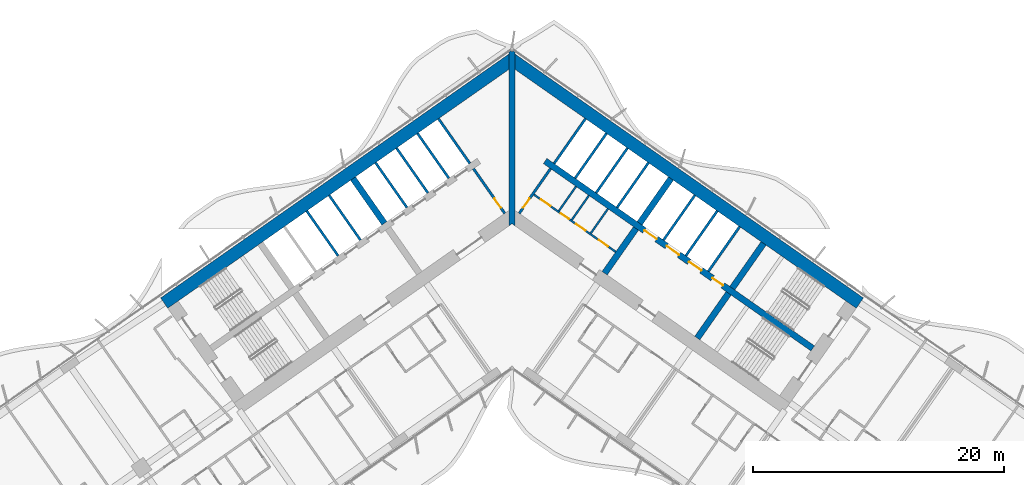
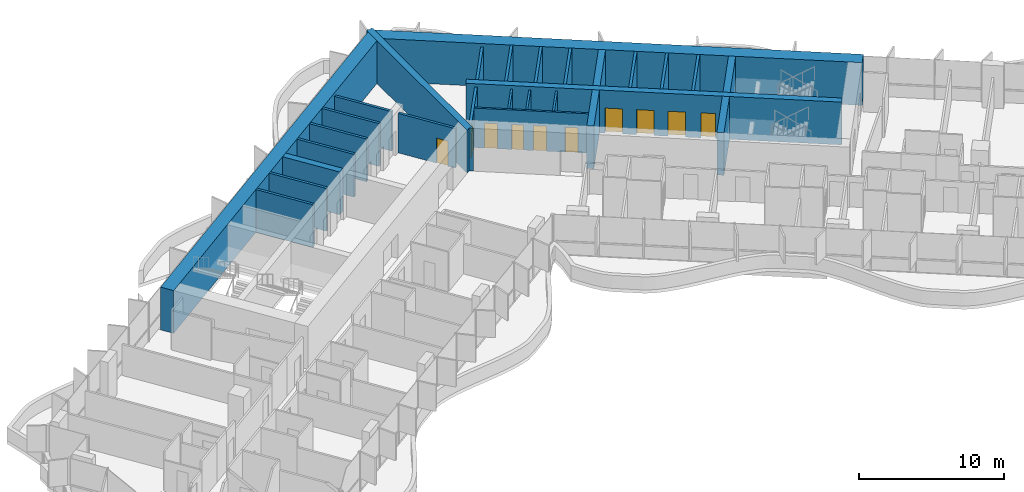
# One storey, part 16 of 25: 28 walls, 10 doors, 10 openings.
"""IFC4 building model written with IfcOpenShell, lengths in metres."""

from ifc_helpers import new_model, si_unit, direction, frame, frame_2d, origin, place, context, subcontext, project, spatial, polyline, rectangle, outline, extrude, material, layer, layer_set, type_object, element, fill, save


model = new_model("IFC4")

# Units and contexts
model_context = context("Model", 3, precision=1e-05, world=origin(), true_north=direction((0.0, 1.0)))
body_context = subcontext(model_context, "Body", "Model", "MODEL_VIEW")
ifc_project = project(units=[si_unit("LENGTHUNIT", "METRE"), si_unit("AREAUNIT", "SQUARE_METRE"), si_unit("VOLUMEUNIT", "CUBIC_METRE"), si_unit("PLANEANGLEUNIT", "RADIAN"), si_unit("MASSUNIT", "GRAM", prefix="KILO")], contexts=[model_context])

# Site, building, storey
site_placement = place(None, origin())
site = spatial("IfcSite", under=ifc_project, at=site_placement, CompositionType="ELEMENT")
building_placement = place(site_placement, origin())
building = spatial("IfcBuilding", under=site, at=building_placement, Name="Tel Ilan Convention Tower", CompositionType="ELEMENT")
storey_placement = place(building_placement, frame((0.0, 0.0, 61.699951171875)))
storey = spatial("IfcBuildingStorey", under=building, at=storey_placement, Name="L10", CompositionType="ELEMENT", Elevation=61.699951171875)

# Wall, openings, doors
ifc_material_1 = material(Name="Gypsum Plasterboard on Steel Stud", Category="steel")
ifc_layer_1 = layer(ifc_material_1, 0.14990234375)
ifc_layer_set_1 = layer_set([ifc_layer_1], Name="Core Room Partition Wall 150 mm EI 60")
wall_type_1 = type_object("IfcWallType", Name="Core Room Partition Wall 150 mm EI 60", PredefinedType="PARTITIONING", material=ifc_layer_set_1)
wall_1_placement = place(storey_placement, frame((1.7451171875, 1.097412109375, 0.0), z_axis=(0.0, 0.0, 1.0), x_axis=(0.819156890572, -0.573569515079, 0.0)))
wall_1 = element("IfcWall", 1, at=wall_1_placement, inside=storey, type_object=wall_type_1, Name="L10 core wall wc-h1", PredefinedType="PARTITIONING", context=body_context, shape_type="SweptSolid", body=[
    extrude(rectangle(XDim=7.949951171875, YDim=0.14990234375, at=frame_2d((3.97509765625, 0.0))), origin(), (0.0, 0.0, 1.0), 3.320068359375),
])
opening_1_placement = place(wall_1_placement, frame((0.699951171875, 0.0, 0.0)))
opening_1 = element("IfcOpeningElement", 2, at=opening_1_placement, cuts=wall_1, Name="Opening CD1110", PredefinedType="OPENING", context=body_context, shape_type="SweptSolid", body=[
    extrude(rectangle(XDim=0.89990234375, YDim=2.10009765625, at=frame_2d((0.449951171875, 1.050048828125))), frame((0.0, 0.0849609375, 0.0), z_axis=(0.0, -1.0, 0.0), x_axis=(1.0, 0.0, 0.0)), (0.0, 0.0, 1.0), 0.169921875),
])
opening_2_placement = place(wall_1_placement, frame((2.60009765625, 0.0, 0.0)))
opening_2 = element("IfcOpeningElement", 3, at=opening_2_placement, cuts=wall_1, Name="Opening CD1109", PredefinedType="OPENING", context=body_context, shape_type="SweptSolid", body=[
    extrude(rectangle(XDim=0.800048828125, YDim=2.10009765625, at=frame_2d((0.39990234375, 1.050048828125))), frame((0.0, 0.0849609375, 0.0), z_axis=(0.0, -1.0, 0.0), x_axis=(1.0, 0.0, 0.0)), (0.0, 0.0, 1.0), 0.169921875),
])
opening_3_placement = place(wall_1_placement, frame((4.10009765625, 0.0, 0.0)))
opening_3 = element("IfcOpeningElement", 4, at=opening_3_placement, cuts=wall_1, Name="Opening CD1108", PredefinedType="OPENING", context=body_context, shape_type="SweptSolid", body=[
    extrude(rectangle(XDim=0.89990234375, YDim=2.10009765625, at=frame_2d((0.449951171875, 1.050048828125))), frame((0.0, 0.0849609375, 0.0), z_axis=(0.0, -1.0, 0.0), x_axis=(1.0, 0.0, 0.0)), (0.0, 0.0, 1.0), 0.169921875),
])
opening_4_placement = place(wall_1_placement, frame((6.300048828125, 0.0, 0.0)))
opening_4 = element("IfcOpeningElement", 5, at=opening_4_placement, cuts=wall_1, Name="Opening CD1111", PredefinedType="OPENING", context=body_context, shape_type="SweptSolid", body=[
    extrude(rectangle(XDim=0.89990234375, YDim=2.10009765625, at=frame_2d((0.449951171875, 1.050048828125))), frame((0.0, 0.0849609375, 0.0), z_axis=(0.0, -1.0, 0.0), x_axis=(1.0, 0.0, 0.0)), (0.0, 0.0, 1.0), 0.169921875),
])
ifc_material_2 = material(Name="Galvanised Steel Door Leaf", Category="steel")
door_type_1 = type_object("IfcDoorType", Name="Store Door 800 x 2100 FD60", OperationType="NOTDEFINED", PredefinedType="DOOR", material=ifc_material_2)
door_1_placement = place(opening_2_placement, origin())
door_1 = element("IfcDoor", 6, at=door_1_placement, inside=storey, type_object=door_type_1, Name="Cleaner's store door", OperationType="SINGLE_SWING_RIGHT", OverallHeight=2.10009765625, OverallWidth=0.800048828125, PredefinedType="DOOR", context=body_context, shape_type="SweptSolid", body=[
    extrude(rectangle(XDim=0.800048828125, YDim=2.10009765625, at=frame_2d((0.39990234375, 1.050048828125))), frame((0.0, 0.02490234375, 0.0), z_axis=(0.0, -1.0, 0.0), x_axis=(1.0, 0.0, 0.0)), (0.0, 0.0, 1.0), 0.050048828125),
])
fill(opening_2, door_1)
ifc_material_3 = material(Name="Laminated Timber Door Leaf", Category="wood")
door_type_2 = type_object("IfcDoorType", Name="Toilet Door 900 x 2100 FD30S", OperationType="NOTDEFINED", PredefinedType="DOOR", material=ifc_material_3)
door_2_placement = place(opening_1_placement, origin())
door_2 = element("IfcDoor", 7, at=door_2_placement, inside=storey, type_object=door_type_2, Name="Men's WC door", OperationType="SINGLE_SWING_RIGHT", OverallHeight=2.10009765625, OverallWidth=0.89990234375, PredefinedType="DOOR", context=body_context, shape_type="SweptSolid", body=[
    extrude(rectangle(XDim=0.89990234375, YDim=2.10009765625, at=frame_2d((0.449951171875, 1.050048828125))), frame((0.0, 0.02490234375, 0.0), z_axis=(0.0, -1.0, 0.0), x_axis=(1.0, 0.0, 0.0)), (0.0, 0.0, 1.0), 0.050048828125),
])
fill(opening_1, door_2)
door_3_placement = place(opening_3_placement, origin())
door_3 = element("IfcDoor", 8, at=door_3_placement, inside=storey, type_object=door_type_2, Name="Accessible WC door", OperationType="SINGLE_SWING_RIGHT", OverallHeight=2.10009765625, OverallWidth=0.89990234375, PredefinedType="DOOR", context=body_context, shape_type="SweptSolid", body=[
    extrude(rectangle(XDim=0.89990234375, YDim=2.10009765625, at=frame_2d((0.449951171875, 1.050048828125))), frame((0.0, 0.02490234375, 0.0), z_axis=(0.0, -1.0, 0.0), x_axis=(1.0, 0.0, 0.0)), (0.0, 0.0, 1.0), 0.050048828125),
])
fill(opening_3, door_3)
door_4_placement = place(opening_4_placement, origin())
door_4 = element("IfcDoor", 9, at=door_4_placement, inside=storey, type_object=door_type_2, Name="Women's WC door", OperationType="SINGLE_SWING_RIGHT", OverallHeight=2.10009765625, OverallWidth=0.89990234375, PredefinedType="DOOR", context=body_context, shape_type="SweptSolid", body=[
    extrude(rectangle(XDim=0.89990234375, YDim=2.10009765625, at=frame_2d((0.449951171875, 1.050048828125))), frame((0.0, 0.02490234375, 0.0), z_axis=(0.0, -1.0, 0.0), x_axis=(1.0, 0.0, 0.0)), (0.0, 0.0, 1.0), 0.050048828125),
])
fill(opening_4, door_4)

# Walls
for number, where, z_axis, x_axis, name in (
    (10, (3.733642578125, -0.203369140625, 0.0), (0.0, 0.0, 1.0), (0.573579618003, 0.819149816463, 0.0), "L10 core wall wc-v0"),
    (11, (4.757568359375, -0.92041015625, 0.0), (0.0, 0.0, 1.0), (0.573579618003, 0.819149816463, 0.0), "L10 core wall wc-v1"),
    (12, (6.27294921875, -1.9814453125, 0.0), (0.0, 0.0, 1.0), (0.573579618003, 0.819149816463, 0.0), "L10 core wall wc-v2"),
):
    element("IfcWall", number, at=place(storey_placement, frame(where, z_axis=z_axis, x_axis=x_axis)), inside=storey, type_object=wall_type_1, Name=name, PredefinedType="PARTITIONING", context=body_context, shape_type="SweptSolid", body=[
        extrude(rectangle(XDim=2.375, YDim=0.14990234375, at=frame_2d((1.1875, 0.0))), origin(), (0.0, 0.0, 1.0), 3.320068359375),
    ])

# Wall, opening, door
ifc_material_4 = material(Name="Concrete C30/37", Category="concrete")
ifc_layer_2 = layer(ifc_material_4, 0.199951171875)
ifc_layer_set_2 = layer_set([ifc_layer_2], Name="Core Service Room Wall 200 mm C30/37")
wall_type_2 = type_object("IfcWallType", Name="Core Service Room Wall 200 mm C30/37", PredefinedType="SOLIDWALL", material=ifc_layer_set_2)
wall_2_placement = place(storey_placement, frame((-0.573486328125, -0.401611328125, 0.0), z_axis=(0.0, 0.0, 1.0), x_axis=(-0.57356780395, 0.819158088694, 0.0)))
wall_2 = element("IfcWall", 13, at=wall_2_placement, inside=storey, type_object=wall_type_2, Name="L10 core wall apex-W", PredefinedType="SOLIDWALL", context=body_context, shape_type="SweptSolid", body=[
    extrude(rectangle(XDim=4.35009765625, YDim=0.199951171875, at=frame_2d((2.175048828125, 0.0))), origin(), (0.0, 0.0, 1.0), 3.320068359375),
])
opening_5_placement = place(wall_2_placement, frame((0.550048828125, 0.0, 0.0)))
opening_5 = element("IfcOpeningElement", 14, at=opening_5_placement, cuts=wall_2, Name="Opening CD1102", PredefinedType="OPENING", context=body_context, shape_type="SweptSolid", body=[
    extrude(rectangle(XDim=0.89990234375, YDim=2.10009765625, at=frame_2d((0.449951171875, 1.050048828125))), frame((0.0, 0.10986328125, 0.0), z_axis=(0.0, -1.0, 0.0), x_axis=(1.0, 0.0, 0.0)), (0.0, 0.0, 1.0), 0.219970703125),
])
ifc_material_5 = material(Name="Galvanised Steel Door Leaf", Category="steel")
door_type_3 = type_object("IfcDoorType", Name="Service Room Door 900 x 2100 FD60", OperationType="NOTDEFINED", PredefinedType="DOOR", material=ifc_material_5)
door_5_placement = place(opening_5_placement, origin())
door_5 = element("IfcDoor", 15, at=door_5_placement, inside=storey, type_object=door_type_3, Name="Riser Room door", OperationType="SINGLE_SWING_RIGHT", OverallHeight=2.10009765625, OverallWidth=0.89990234375, PredefinedType="DOOR", context=body_context, shape_type="SweptSolid", body=[
    extrude(rectangle(XDim=0.89990234375, YDim=2.10009765625, at=frame_2d((0.449951171875, 1.050048828125))), frame((0.0, 0.02490234375, 0.0), z_axis=(0.0, -1.0, 0.0), x_axis=(1.0, 0.0, 0.0)), (0.0, 0.0, 1.0), 0.050048828125),
])
fill(opening_5, door_5)

# Wall
wall_3_placement = place(storey_placement, frame((-3.355224609375, 3.5712890625, 0.0), z_axis=(0.0, 0.0, 1.0), x_axis=(-0.57356780395, 0.819158088694, 0.0)))
element("IfcWall", 16, at=wall_3_placement, inside=storey, type_object=wall_type_2, Name="L10 core wall apex-W-b", PredefinedType="SOLIDWALL", context=body_context, shape_type="SweptSolid", body=[
    extrude(rectangle(XDim=4.35009765625, YDim=0.199951171875, at=frame_2d((2.175048828125, 0.0))), origin(), (0.0, 0.0, 1.0), 3.320068359375),
])

# Wall, opening, door
wall_4_placement = place(storey_placement, frame((0.573486328125, -0.401611328125, 0.0), z_axis=(0.0, 0.0, 1.0), x_axis=(0.57356780395, 0.819158088694, 0.0)))
wall_4 = element("IfcWall", 17, at=wall_4_placement, inside=storey, type_object=wall_type_2, Name="L10 core wall apex-E", PredefinedType="SOLIDWALL", context=body_context, shape_type="SweptSolid", body=[
    extrude(rectangle(XDim=4.35009765625, YDim=0.199951171875, at=frame_2d((2.175048828125, 0.0))), origin(), (0.0, 0.0, 1.0), 3.320068359375),
])
opening_6_placement = place(wall_4_placement, frame((0.550048828125, 0.0, 0.0)))
opening_6 = element("IfcOpeningElement", 18, at=opening_6_placement, cuts=wall_4, Name="Opening CD1101", PredefinedType="OPENING", context=body_context, shape_type="SweptSolid", body=[
    extrude(rectangle(XDim=0.89990234375, YDim=2.10009765625, at=frame_2d((0.449951171875, 1.050048828125))), frame((0.0, 0.10986328125, 0.0), z_axis=(0.0, -1.0, 0.0), x_axis=(1.0, 0.0, 0.0)), (0.0, 0.0, 1.0), 0.219970703125),
])
door_6_placement = place(opening_6_placement, origin())
door_6 = element("IfcDoor", 19, at=door_6_placement, inside=storey, type_object=door_type_3, Name="Electrical Room door", OperationType="SINGLE_SWING_RIGHT", OverallHeight=2.10009765625, OverallWidth=0.89990234375, PredefinedType="DOOR", context=body_context, shape_type="SweptSolid", body=[
    extrude(rectangle(XDim=0.89990234375, YDim=2.10009765625, at=frame_2d((0.449951171875, 1.050048828125))), frame((0.0, 0.02490234375, 0.0), z_axis=(0.0, -1.0, 0.0), x_axis=(1.0, 0.0, 0.0)), (0.0, 0.0, 1.0), 0.050048828125),
])
fill(opening_6, door_6)

# Walls
wall_5_placement = place(storey_placement, frame((3.355224609375, 3.5712890625, 0.0), z_axis=(0.0, 0.0, 1.0), x_axis=(0.57356780395, 0.819158088694, 0.0)))
element("IfcWall", 20, at=wall_5_placement, inside=storey, type_object=wall_type_2, Name="L10 core wall apex-E-b", PredefinedType="SOLIDWALL", context=body_context, shape_type="SweptSolid", body=[
    extrude(rectangle(XDim=4.35009765625, YDim=0.199951171875, at=frame_2d((2.175048828125, 0.0))), origin(), (0.0, 0.0, 1.0), 3.320068359375),
])
ifc_material_6 = material(Name="Concrete C60/75", Category="concrete")
ifc_layer_3 = layer(ifc_material_6, 1.0)
ifc_layer_set_3 = layer_set([ifc_layer_3], Name="Core Shear Wall 1000 mm C60/75")
wall_type_3 = type_object("IfcWallType", Name="Core Shear Wall 1000 mm C60/75", PredefinedType="SHEAR", material=ifc_layer_set_3)
wall_6_placement = place(storey_placement, frame((0.036865234375, 11.8671875, 0.0), z_axis=(0.0, 0.0, 1.0), x_axis=(-0.819155306259, -0.573571777746, 0.0)))
element("IfcWall", 21, at=wall_6_placement, inside=storey, type_object=wall_type_3, Name="L10 core wall W-back", PredefinedType="SHEAR", context=body_context, shape_type="SweptSolid", body=[
    extrude(outline(polyline([(33.8369140625, 0.5), (0.7001953125, 0.499755859375), (0.0, -0.5), (33.8369140625, -0.5), (33.8369140625, 0.5)])), origin(), (0.0, 0.0, 1.0), 3.60009765625),
])
wall_7_placement = place(storey_placement, frame((-0.036865234375, 11.8671875, 0.0), z_axis=(0.0, 0.0, 1.0), x_axis=(0.819155306259, -0.573571777746, 0.0)))
element("IfcWall", 22, at=wall_7_placement, inside=storey, type_object=wall_type_3, Name="L10 core wall E-back", PredefinedType="SHEAR", context=body_context, shape_type="SweptSolid", body=[
    extrude(outline(polyline([(33.8369140625, 0.5), (0.0, 0.5), (0.7001953125, -0.499755859375), (33.8369140625, -0.5), (33.8369140625, 0.5)])), origin(), (0.0, 0.0, 1.0), 3.60009765625),
])
ifc_material_7 = material(Name="Concrete C60/75", Category="concrete")
ifc_layer_4 = layer(ifc_material_7, 0.5)
ifc_layer_set_4 = layer_set([ifc_layer_4], Name="Core Shear Wall 500 mm C60/75")
wall_type_4 = type_object("IfcWallType", Name="Core Shear Wall 500 mm C60/75", PredefinedType="SHEAR", material=ifc_layer_set_4)
wall_8_placement = place(storey_placement, frame((-10.154296875, -1.189208984375, 0.0), z_axis=(0.0, 0.0, 1.0), x_axis=(-0.573594173421, 0.819139624372, 0.0)))
element("IfcWall", 23, at=wall_8_placement, inside=storey, type_object=wall_type_4, Name="L10 core wall W-cross1-2", PredefinedType="SHEAR", context=body_context, shape_type="SweptSolid", body=[
    extrude(outline(polyline([(4.349853515625, -0.25), (4.349853515625, 0.25), (-0.000244140625, 0.25), (-0.000244140625, -0.25), (4.349853515625, -0.25)])), origin(), (0.0, 0.0, 1.0), 3.60009765625),
])
wall_9_placement = place(storey_placement, frame((7.372314453125, -5.162109375, 0.0), z_axis=(0.0, 0.0, 1.0), x_axis=(0.573594173421, 0.819139624372, 0.0)))
element("IfcWall", 24, at=wall_9_placement, inside=storey, type_object=wall_type_4, Name="L10 core wall E-cross1-1", PredefinedType="SHEAR", context=body_context, shape_type="SweptSolid", body=[
    extrude(outline(polyline([(0.0, 0.25), (0.0, -0.250244140625), (4.349853515625, -0.25), (4.349853515625, 0.25), (0.0, 0.25)])), origin(), (0.0, 0.0, 1.0), 3.60009765625),
])
wall_10_placement = place(storey_placement, frame((10.154296875, -1.189208984375, 0.0), z_axis=(0.0, 0.0, 1.0), x_axis=(0.573594173421, 0.819139624372, 0.0)))
element("IfcWall", 25, at=wall_10_placement, inside=storey, type_object=wall_type_4, Name="L10 core wall E-cross1-2", PredefinedType="SHEAR", context=body_context, shape_type="SweptSolid", body=[
    extrude(outline(polyline([(4.349853515625, -0.25), (4.349853515625, 0.25), (-0.000244140625, 0.25), (-0.000244140625, -0.25), (4.349853515625, -0.25)])), origin(), (0.0, 0.0, 1.0), 3.60009765625),
])
wall_11_placement = place(storey_placement, frame((14.74462890625, -10.324462890625, 0.0), z_axis=(0.0, 0.0, 1.0), x_axis=(0.57356780395, 0.819158088694, 0.0)))
element("IfcWall", 26, at=wall_11_placement, inside=storey, type_object=wall_type_4, Name="L10 core wall E-cross2-1", PredefinedType="SHEAR", context=body_context, shape_type="SweptSolid", body=[
    extrude(outline(polyline([(0.0, 0.25), (0.0, -0.25), (4.35009765625, -0.250244140625), (4.35009765625, 0.25), (0.0, 0.25)])), origin(), (0.0, 0.0, 1.0), 3.60009765625),
])
wall_12_placement = place(storey_placement, frame((17.526611328125, -6.3515625, 0.0), z_axis=(0.0, 0.0, 1.0), x_axis=(0.573530143085, 0.819184457233, 0.0)))
element("IfcWall", 27, at=wall_12_placement, inside=storey, type_object=wall_type_4, Name="L10 core wall E-cross2-2", PredefinedType="SHEAR", context=body_context, shape_type="SweptSolid", body=[
    extrude(outline(polyline([(4.35009765625, -0.250244140625), (4.35009765625, 0.249755859375), (0.0, 0.25), (0.0, -0.25), (4.35009765625, -0.250244140625)])), origin(), (0.0, 0.0, 1.0), 3.60009765625),
])

# Wall, openings, doors
wall_13_placement = place(storey_placement, frame((2.638427734375, 3.76806640625, 0.0), z_axis=(0.0, 0.0, 1.0), x_axis=(0.819148977158, -0.573580816643, 0.0)))
wall_13 = element("IfcWall", 28, at=wall_13_placement, inside=storey, type_object=wall_type_4, Name="L10 core wall E-spine", PredefinedType="SHEAR", context=body_context, shape_type="SweptSolid", body=[
    extrude(outline(polyline([(0.0, 0.25), (0.0, -0.25), (26.0, -0.249755859375), (26.0, 0.250244140625), (0.0, 0.25)])), origin(), (0.0, 0.0, 1.0), 3.60009765625),
])
opening_7_placement = place(wall_13_placement, frame((9.637451171875, 0.0, 0.0)))
opening_7 = element("IfcOpeningElement", 29, at=opening_7_placement, cuts=wall_13, Name="Opening LD1101", PredefinedType="OPENING", context=body_context, shape_type="SweptSolid", body=[
    extrude(rectangle(XDim=1.199951171875, YDim=2.10009765625, at=frame_2d((0.60009765625, 1.050048828125))), frame((0.0, 0.260009765625, 0.0), z_axis=(0.0, -1.0, 0.0), x_axis=(1.0, 0.0, 0.0)), (0.0, 0.0, 1.0), 0.52001953125),
])
opening_8_placement = place(wall_13_placement, frame((11.8125, 0.0, 0.0)))
opening_8 = element("IfcOpeningElement", 30, at=opening_8_placement, cuts=wall_13, Name="Opening LD1102", PredefinedType="OPENING", context=body_context, shape_type="SweptSolid", body=[
    extrude(rectangle(XDim=1.199951171875, YDim=2.10009765625, at=frame_2d((0.60009765625, 1.050048828125))), frame((0.0, 0.260009765625, 0.0), z_axis=(0.0, -1.0, 0.0), x_axis=(1.0, 0.0, 0.0)), (0.0, 0.0, 1.0), 0.52001953125),
])
opening_9_placement = place(wall_13_placement, frame((13.987548828125, 0.0, 0.0)))
opening_9 = element("IfcOpeningElement", 31, at=opening_9_placement, cuts=wall_13, Name="Opening LD1103", PredefinedType="OPENING", context=body_context, shape_type="SweptSolid", body=[
    extrude(rectangle(XDim=1.199951171875, YDim=2.10009765625, at=frame_2d((0.60009765625, 1.050048828125))), frame((0.0, 0.260009765625, 0.0), z_axis=(0.0, -1.0, 0.0), x_axis=(1.0, 0.0, 0.0)), (0.0, 0.0, 1.0), 0.52001953125),
])
opening_10_placement = place(wall_13_placement, frame((16.262451171875, 0.0, 0.0)))
opening_10 = element("IfcOpeningElement", 32, at=opening_10_placement, cuts=wall_13, Name="Opening CD1107", PredefinedType="OPENING", context=body_context, shape_type="SweptSolid", body=[
    extrude(rectangle(XDim=1.0, YDim=2.10009765625, at=frame_2d((0.5, 1.050048828125))), frame((0.0, 0.260009765625, 0.0), z_axis=(0.0, -1.0, 0.0), x_axis=(1.0, 0.0, 0.0)), (0.0, 0.0, 1.0), 0.52001953125),
])
ifc_material_8 = material(Name="Stainless Steel Sliding Door Leaf", Category="steel")
door_type_4 = type_object("IfcDoorType", Name="Lift Landing Door 1200 x 2100 FD120", OperationType="NOTDEFINED", PredefinedType="DOOR", material=ifc_material_8)
door_7_placement = place(opening_7_placement, origin())
door_7 = element("IfcDoor", 33, at=door_7_placement, inside=storey, type_object=door_type_4, Name="Lift FL1 landing door", OperationType="SLIDING_TO_LEFT", OverallHeight=2.10009765625, OverallWidth=1.199951171875, PredefinedType="DOOR", context=body_context, shape_type="SweptSolid", body=[
    extrude(rectangle(XDim=1.199951171875, YDim=2.10009765625, at=frame_2d((0.60009765625, 1.050048828125))), frame((0.0, 0.02490234375, 0.0), z_axis=(0.0, -1.0, 0.0), x_axis=(1.0, 0.0, 0.0)), (0.0, 0.0, 1.0), 0.050048828125),
])
fill(opening_7, door_7)
door_8_placement = place(opening_8_placement, origin())
door_8 = element("IfcDoor", 34, at=door_8_placement, inside=storey, type_object=door_type_4, Name="Lift FL2 landing door", OperationType="SLIDING_TO_RIGHT", OverallHeight=2.10009765625, OverallWidth=1.199951171875, PredefinedType="DOOR", context=body_context, shape_type="SweptSolid", body=[
    extrude(rectangle(XDim=1.199951171875, YDim=2.10009765625, at=frame_2d((0.60009765625, 1.050048828125))), frame((0.0, 0.02490234375, 0.0), z_axis=(0.0, -1.0, 0.0), x_axis=(1.0, 0.0, 0.0)), (0.0, 0.0, 1.0), 0.050048828125),
])
fill(opening_8, door_8)
door_9_placement = place(opening_9_placement, origin())
door_9 = element("IfcDoor", 35, at=door_9_placement, inside=storey, type_object=door_type_4, Name="Lift FL3 landing door", OperationType="SLIDING_TO_LEFT", OverallHeight=2.10009765625, OverallWidth=1.199951171875, PredefinedType="DOOR", context=body_context, shape_type="SweptSolid", body=[
    extrude(rectangle(XDim=1.199951171875, YDim=2.10009765625, at=frame_2d((0.60009765625, 1.050048828125))), frame((0.0, 0.02490234375, 0.0), z_axis=(0.0, -1.0, 0.0), x_axis=(1.0, 0.0, 0.0)), (0.0, 0.0, 1.0), 0.050048828125),
])
fill(opening_9, door_9)
ifc_material_9 = material(Name="Galvanised Steel Door Leaf", Category="steel")
door_type_5 = type_object("IfcDoorType", Name="Service Room Door 1000 x 2100 FD60", OperationType="NOTDEFINED", PredefinedType="DOOR", material=ifc_material_9)
door_10_placement = place(opening_10_placement, origin())
door_10 = element("IfcDoor", 36, at=door_10_placement, inside=storey, type_object=door_type_5, Name="Plant Room door", OperationType="SINGLE_SWING_RIGHT", OverallHeight=2.10009765625, OverallWidth=1.0, PredefinedType="DOOR", context=body_context, shape_type="SweptSolid", body=[
    extrude(rectangle(XDim=1.0, YDim=2.10009765625, at=frame_2d((0.5, 1.050048828125))), frame((0.0, 0.02490234375, 0.0), z_axis=(0.0, -1.0, 0.0), x_axis=(1.0, 0.0, 0.0)), (0.0, 0.0, 1.0), 0.050048828125),
])
fill(opening_10, door_10)

# Walls
wall_14_placement = place(storey_placement, frame((0.0, -1.395751953125, 0.0), z_axis=(0.0, 0.0, 1.0), x_axis=(0.0, 1.0, 0.0)))
element("IfcWall", 37, at=wall_14_placement, inside=storey, type_object=wall_type_4, Name="L10 core wall K-central", PredefinedType="SHEAR", context=body_context, shape_type="SweptSolid", body=[
    extrude(outline(polyline([(0.0, -0.25), (0.175048828125, -0.25), (1.220703125, -0.25), (12.451904296875, -0.25), (13.84765625, -0.25), (13.85693359375, -0.25), (13.96826171875, -0.172119140625), (13.84765625, 0.0), (13.96826171875, 0.172119140625), (13.85693359375, 0.25), (13.84765625, 0.25), (12.451904296875, 0.25), (1.220703125, 0.25), (0.175048828125, 0.25), (0.0, 0.25), (0.175048828125, 0.0), (0.0, -0.25)])), origin(), (0.0, 0.0, 1.0), 3.60009765625),
])
ifc_material_10 = material(Name="Concrete C30/37", Category="concrete")
ifc_layer_5 = layer(ifc_material_10, 0.199951171875)
ifc_layer_set_5 = layer_set([ifc_layer_5], Name="Lift Shaft Wall 200 mm C30/37")
wall_type_5 = type_object("IfcWallType", Name="Lift Shaft Wall 200 mm C30/37", PredefinedType="SOLIDWALL", material=ifc_layer_set_5)
wall_15_placement = place(storey_placement, frame((-5.0244140625, 2.402587890625, 0.0), z_axis=(0.0, 0.0, 1.0), x_axis=(-0.573530143085, 0.819184457233, 0.0)))
element("IfcWall", 38, at=wall_15_placement, inside=storey, type_object=wall_type_5, Name="L10 core wall bank-W1-p0", PredefinedType="SOLIDWALL", context=body_context, shape_type="SweptSolid", body=[
    extrude(rectangle(XDim=4.35009765625, YDim=0.199951171875, at=frame_2d((2.175048828125, 0.0))), origin(), (0.0, 0.0, 1.0), 3.60009765625),
])
for number, where, z_axis, x_axis, name in (
    (39, (-6.693359375, 1.234130859375, 0.0), (0.0, 0.0, 1.0), (-0.573594173421, 0.819139624372, 0.0), "L10 core wall bank-W1-p1"),
    (40, (-8.3623046875, 0.0654296875, 0.0), (0.0, 0.0, 1.0), (-0.573594173421, 0.819139624372, 0.0), "L10 core wall bank-W1-p2"),
    (41, (-12.05859375, -2.52294921875, 0.0), (0.0, 0.0, 1.0), (-0.573594173421, 0.819139624372, 0.0), "L10 core wall bank-W2-p0"),
):
    element("IfcWall", number, at=place(storey_placement, frame(where, z_axis=z_axis, x_axis=x_axis)), inside=storey, type_object=wall_type_5, Name=name, PredefinedType="SOLIDWALL", context=body_context, shape_type="SweptSolid", body=[
        extrude(rectangle(XDim=4.349853515625, YDim=0.199951171875, at=frame_2d((2.1748046875, 0.0))), origin(), (0.0, 0.0, 1.0), 3.60009765625),
    ])
for number, where, z_axis, x_axis, name in (
    (42, (-13.84033203125, -3.7705078125, 0.0), (0.0, 0.0, 1.0), (-0.57356780395, 0.819158088694, 0.0), "L10 core wall bank-W2-p1"),
    (43, (5.0244140625, 2.402587890625, 0.0), (0.0, 0.0, 1.0), (0.573530143085, 0.819184457233, 0.0), "L10 core wall bank-E1-p0"),
):
    element("IfcWall", number, at=place(storey_placement, frame(where, z_axis=z_axis, x_axis=x_axis)), inside=storey, type_object=wall_type_5, Name=name, PredefinedType="SOLIDWALL", context=body_context, shape_type="SweptSolid", body=[
        extrude(rectangle(XDim=4.35009765625, YDim=0.199951171875, at=frame_2d((2.175048828125, 0.0))), origin(), (0.0, 0.0, 1.0), 3.60009765625),
    ])
for number, where, z_axis, x_axis, name in (
    (44, (6.693359375, 1.234130859375, 0.0), (0.0, 0.0, 1.0), (0.573594173421, 0.819139624372, 0.0), "L10 core wall bank-E1-p1"),
    (45, (8.3623046875, 0.0654296875, 0.0), (0.0, 0.0, 1.0), (0.573594173421, 0.819139624372, 0.0), "L10 core wall bank-E1-p2"),
    (46, (12.05859375, -2.52294921875, 0.0), (0.0, 0.0, 1.0), (0.573594173421, 0.819139624372, 0.0), "L10 core wall bank-E2-p0"),
):
    element("IfcWall", number, at=place(storey_placement, frame(where, z_axis=z_axis, x_axis=x_axis)), inside=storey, type_object=wall_type_5, Name=name, PredefinedType="SOLIDWALL", context=body_context, shape_type="SweptSolid", body=[
        extrude(rectangle(XDim=4.349853515625, YDim=0.199951171875, at=frame_2d((2.1748046875, 0.0))), origin(), (0.0, 0.0, 1.0), 3.60009765625),
    ])
wall_16_placement = place(storey_placement, frame((13.84033203125, -3.7705078125, 0.0), z_axis=(0.0, 0.0, 1.0), x_axis=(0.57356780395, 0.819158088694, 0.0)))
element("IfcWall", 47, at=wall_16_placement, inside=storey, type_object=wall_type_5, Name="L10 core wall bank-E2-p1", PredefinedType="SOLIDWALL", context=body_context, shape_type="SweptSolid", body=[
    extrude(rectangle(XDim=4.35009765625, YDim=0.199951171875, at=frame_2d((2.175048828125, 0.0))), origin(), (0.0, 0.0, 1.0), 3.60009765625),
])
wall_17_placement = place(storey_placement, frame((15.6220703125, -5.017822265625, 0.0), z_axis=(0.0, 0.0, 1.0), x_axis=(0.573594173421, 0.819139624372, 0.0)))
element("IfcWall", 48, at=wall_17_placement, inside=storey, type_object=wall_type_5, Name="L10 core wall bank-E2-p2", PredefinedType="SOLIDWALL", context=body_context, shape_type="SweptSolid", body=[
    extrude(rectangle(XDim=4.349853515625, YDim=0.199951171875, at=frame_2d((2.1748046875, 0.0))), origin(), (0.0, 0.0, 1.0), 3.60009765625),
])

save(model, "model.ifc")
